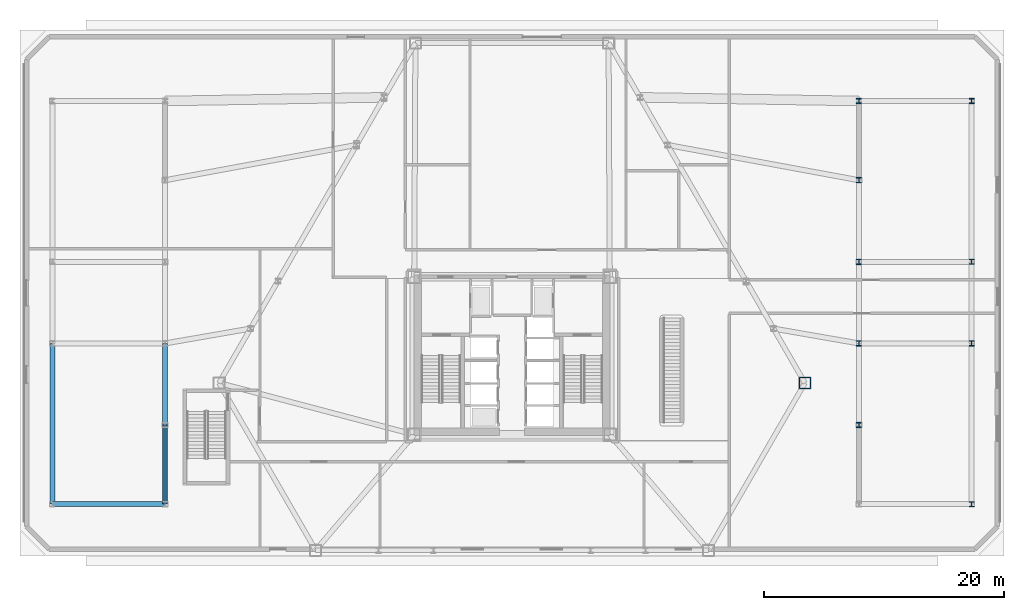
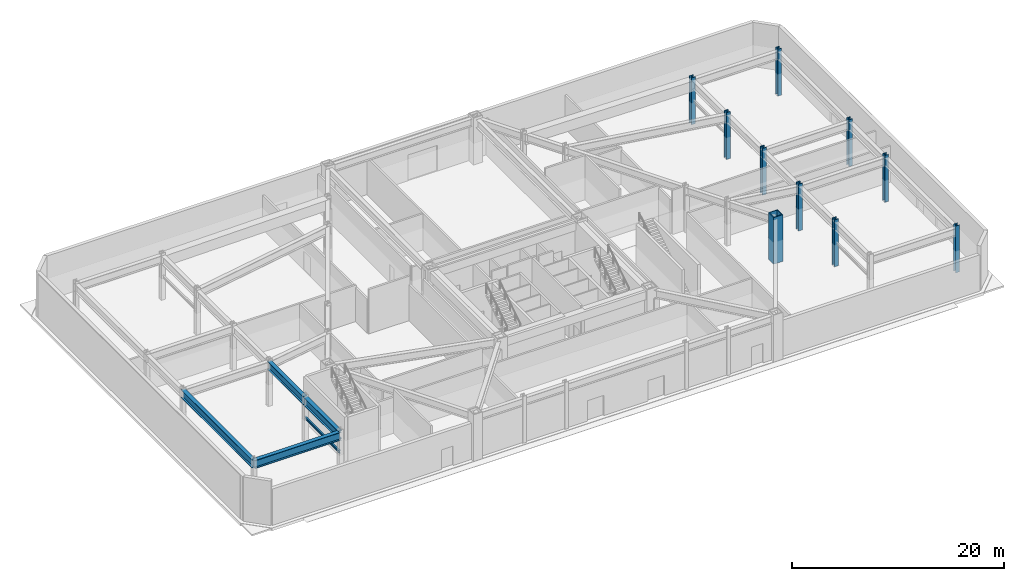
# One storey, part 2 of 12: 10 columns, 5 beams.
"""IFC4 building model written with IfcOpenShell, lengths in metres."""

from ifc_helpers import new_model, si_unit, direction, frame, origin, origin_2d, place, context, subcontext, project, spatial, hollow_rectangle, i_section, extrude, material, material_profile, profile_set, type_object, element, save


model = new_model("IFC4")

# Units and contexts
model_context = context("Model", 3, precision=1e-05, world=origin(), true_north=direction((0.0, 1.0)))
body_context = subcontext(model_context, "Body", "Model", "MODEL_VIEW")
ifc_project = project(units=[si_unit("LENGTHUNIT", "METRE"), si_unit("AREAUNIT", "SQUARE_METRE"), si_unit("VOLUMEUNIT", "CUBIC_METRE"), si_unit("PLANEANGLEUNIT", "RADIAN"), si_unit("MASSUNIT", "GRAM", prefix="KILO")], contexts=[model_context])

# Site, building, storey
site_placement = place(None, origin())
site = spatial("IfcSite", under=ifc_project, at=site_placement, CompositionType="ELEMENT")
building_placement = place(site_placement, origin())
building = spatial("IfcBuilding", under=site, at=building_placement, Name="Oramaril Tower", CompositionType="ELEMENT")
storey_placement = place(building_placement, origin())
storey = spatial("IfcBuildingStorey", under=building, at=storey_placement, Name="L00", CompositionType="ELEMENT", Elevation=0.0)

# Columns
ifc_material_1 = material(Name="Steel ASTM A572 Gr 50", Category="steel")
ifc_material_profile_1 = material_profile(ifc_material_1, hollow_rectangle(XDim=1.0, YDim=1.0, WallThickness=0.0849609375, at=origin_2d()), Name="BOX1000X1000X85")
ifc_profile_set_1 = profile_set([ifc_material_profile_1], Name="Steel ASTM A572 Gr 50")
column_type_1 = type_object("IfcColumnType", Name="CT-TC1", PredefinedType="COLUMN", material=ifc_profile_set_1)
column_placement = place(storey_placement, frame((61.910400390625, 15.300048828125, 0.00439453125), z_axis=(0.0, 0.0, 1.0), x_axis=(1.0, 0.0, 0.0)))
element("IfcColumn", 1, at=column_placement, inside=storey, type_object=column_type_1, Name="L00 Tube Column TC-04", PredefinedType="COLUMN", context=body_context, shape_type="SweptSolid", body=[
    extrude(hollow_rectangle(XDim=1.0, YDim=1.0, WallThickness=0.0849609375, at=origin_2d()), origin(), (0.0, 0.0, 1.0), 5.39111328125),
])
ifc_material_2 = material(Name="Steel ASTM A572 Gr 50", Category="steel")
ifc_material_profile_2 = material_profile(ifc_material_2, i_section(OverallWidth=0.422119140625, OverallDepth=0.465087890625, WebThickness=0.044921875, FlangeThickness=0.072021484375, at=origin_2d()), Name="W14X398")
ifc_profile_set_2 = profile_set([ifc_material_profile_2], Name="Steel ASTM A572 Gr 50")
column_type_2 = type_object("IfcColumnType", Name="CT-TF1", PredefinedType="COLUMN", material=ifc_profile_set_2)
for number, where, z_axis, x_axis, name in (
    (2, (66.39990234375, 11.800048828125, 0.0), (0.0, 0.0, 1.0), (1.0, 0.0, 0.0), "L00 Podium Column PCOL-08"),
    (3, (66.39990234375, 18.60009765625, 0.0), (0.0, 0.0, 1.0), (1.0, 0.0, 0.0), "L00 Podium Column PCOL-09"),
    (4, (66.39990234375, 25.39990234375, 0.0), (0.0, 0.0, 1.0), (1.0, 0.0, 0.0), "L00 Podium Column PCOL-10"),
    (5, (66.39990234375, 32.199951171875, 0.0), (0.0, 0.0, 1.0), (1.0, 0.0, 0.0), "L00 Podium Column PCOL-11"),
    (6, (66.39990234375, 38.800048828125, 0.0), (0.0, 0.0, 1.0), (1.0, 0.0, 0.0), "L00 Podium Column PCOL-12"),
):
    element("IfcColumn", number, at=place(storey_placement, frame(where, z_axis=z_axis, x_axis=x_axis)), inside=storey, type_object=column_type_2, Name=name, PredefinedType="COLUMN", context=body_context, shape_type="SweptSolid", body=[
        extrude(i_section(OverallWidth=0.422119140625, OverallDepth=0.465087890625, WebThickness=0.044921875, FlangeThickness=0.072021484375, at=origin_2d()), origin(), (0.0, 0.0, 1.0), 5.39990234375),
    ])
ifc_material_3 = material(Name="Steel ASTM A572 Gr 50", Category="steel")
ifc_material_profile_3 = material_profile(ifc_material_3, i_section(OverallWidth=0.410888671875, OverallDepth=0.43408203125, WebThickness=0.035888671875, FlangeThickness=0.057373046875, at=origin_2d()), Name="W14X311")
ifc_profile_set_3 = profile_set([ifc_material_profile_3], Name="Steel ASTM A572 Gr 50")
column_type_3 = type_object("IfcColumnType", Name="CT-TF2", PredefinedType="COLUMN", material=ifc_profile_set_3)
for number, where, z_axis, x_axis, name in (
    (7, (75.800048828125, 5.199951171875, 0.0), (0.0, 0.0, 1.0), (1.0, 0.0, 0.0), "L00 Lower Podium Wing Column WCOL-05"),
    (8, (75.800048828125, 18.60009765625, 0.0), (0.0, 0.0, 1.0), (1.0, 0.0, 0.0), "L00 Lower Podium Wing Column WCOL-06"),
    (9, (75.800048828125, 25.39990234375, 0.0), (0.0, 0.0, 1.0), (1.0, 0.0, 0.0), "L00 Lower Podium Wing Column WCOL-07"),
    (10, (75.800048828125, 38.800048828125, 0.0), (0.0, 0.0, 1.0), (1.0, 0.0, 0.0), "L00 Lower Podium Wing Column WCOL-08"),
):
    element("IfcColumn", number, at=place(storey_placement, frame(where, z_axis=z_axis, x_axis=x_axis)), inside=storey, type_object=column_type_3, Name=name, PredefinedType="COLUMN", context=body_context, shape_type="SweptSolid", body=[
        extrude(i_section(OverallWidth=0.410888671875, OverallDepth=0.43408203125, WebThickness=0.035888671875, FlangeThickness=0.057373046875, at=origin_2d()), origin(), (0.0, 0.0, 1.0), 5.39990234375),
    ])

# Beams
ifc_material_4 = material(Name="Steel ASTM A572 Gr 50", Category="steel")
ifc_material_profile_4 = material_profile(ifc_material_4, i_section(OverallWidth=0.1650390625, OverallDepth=0.31005859375, WebThickness=0.005859375, FlangeThickness=0.009765625, at=origin_2d()), Name="W12X26")
ifc_profile_set_4 = profile_set([ifc_material_profile_4], Name="Steel ASTM A572 Gr 50")
beam_type_1 = type_object("IfcBeamType", Name="BT-LN1", PredefinedType="LINTEL", material=ifc_profile_set_4)
beam_1_placement = place(storey_placement, frame((8.60009765625, 5.199951171875, 2.695068359375), z_axis=(0.0, 1.0, 0.0), x_axis=(-1.0, 0.0, 0.0)))
element("IfcBeam", 11, at=beam_1_placement, inside=storey, type_object=beam_type_1, Name="L00 Podium Opening Lintel Beam", PredefinedType="LINTEL", context=body_context, shape_type="SweptSolid", body=[
    extrude(i_section(OverallWidth=0.1650390625, OverallDepth=0.31005859375, WebThickness=0.005859375, FlangeThickness=0.009765625, at=origin_2d()), origin(), (0.0, 0.0, 1.0), 6.60009765625),
])
ifc_material_5 = material(Name="Steel ASTM A572 Gr 50", Category="steel")
ifc_material_profile_5 = material_profile(ifc_material_5, i_section(OverallWidth=0.424072265625, OverallDepth=0.947021484375, WebThickness=0.02392578125, FlangeThickness=0.042724609375, at=origin_2d()), Name="W36X302")
ifc_profile_set_5 = profile_set([ifc_material_profile_5], Name="Steel ASTM A572 Gr 50")
beam_type_2 = type_object("IfcBeamType", Name="BT-PG1", PredefinedType="BEAM", material=ifc_profile_set_5)
beam_2_placement = place(storey_placement, frame((-0.800048828125, 5.199951171875, 4.646484375), z_axis=(1.0, 0.0, 0.0), x_axis=(0.0, 1.0, 0.0)))
element("IfcBeam", 12, at=beam_2_placement, inside=storey, type_object=beam_type_2, Name="L00 Wing Transverse Girder 01", PredefinedType="BEAM", context=body_context, shape_type="SweptSolid", body=[
    extrude(i_section(OverallWidth=0.424072265625, OverallDepth=0.947021484375, WebThickness=0.02392578125, FlangeThickness=0.042724609375, at=origin_2d()), origin(), (0.0, 0.0, 1.0), 9.400146484375),
])
ifc_material_6 = material(Name="Steel ASTM A572 Gr 50", Category="steel")
ifc_material_profile_6 = material_profile(ifc_material_6, i_section(OverallWidth=0.4189453125, OverallDepth=0.927001953125, WebThickness=0.019287109375, FlangeThickness=0.031982421875, at=origin_2d()), Name="W36X231")
ifc_profile_set_6 = profile_set([ifc_material_profile_6], Name="Steel ASTM A572 Gr 50")
beam_type_3 = type_object("IfcBeamType", Name="BT-PG2", PredefinedType="BEAM", material=ifc_profile_set_6)
beam_3_placement = place(storey_placement, frame((8.60009765625, 5.199951171875, 4.656494140625), z_axis=(0.0, 1.0, 0.0), x_axis=(-1.0, 0.0, 0.0)))
element("IfcBeam", 13, at=beam_3_placement, inside=storey, type_object=beam_type_3, Name="L00 Podium Perimeter Girder 01", PredefinedType="BEAM", context=body_context, shape_type="SweptSolid", body=[
    extrude(i_section(OverallWidth=0.4189453125, OverallDepth=0.927001953125, WebThickness=0.019287109375, FlangeThickness=0.031982421875, at=origin_2d()), origin(), (0.0, 0.0, 1.0), 6.60009765625),
])
beam_4_placement = place(storey_placement, frame((8.60009765625, 11.800048828125, 4.656494140625), z_axis=(0.0, 1.0, 0.0), x_axis=(-1.0, 0.0, 0.0)))
element("IfcBeam", 14, at=beam_4_placement, inside=storey, type_object=beam_type_3, Name="L00 Podium Perimeter Girder 02", PredefinedType="BEAM", context=body_context, shape_type="SweptSolid", body=[
    extrude(i_section(OverallWidth=0.4189453125, OverallDepth=0.927001953125, WebThickness=0.019287109375, FlangeThickness=0.031982421875, at=origin_2d()), origin(), (0.0, 0.0, 1.0), 6.800048828125),
])
beam_5_placement = place(storey_placement, frame((-0.800048828125, 5.199951171875, 4.656494140625), z_axis=(0.0, 1.0, 0.0), x_axis=(-1.0, 0.0, 0.0)))
element("IfcBeam", 15, at=beam_5_placement, inside=storey, type_object=beam_type_3, Name="L00 Wing Perimeter Girder 01", PredefinedType="BEAM", context=body_context, shape_type="SweptSolid", body=[
    extrude(i_section(OverallWidth=0.4189453125, OverallDepth=0.927001953125, WebThickness=0.019287109375, FlangeThickness=0.031982421875, at=origin_2d()), origin(), (0.0, 0.0, 1.0), 13.400146484375),
])

save(model, "model.ifc")
